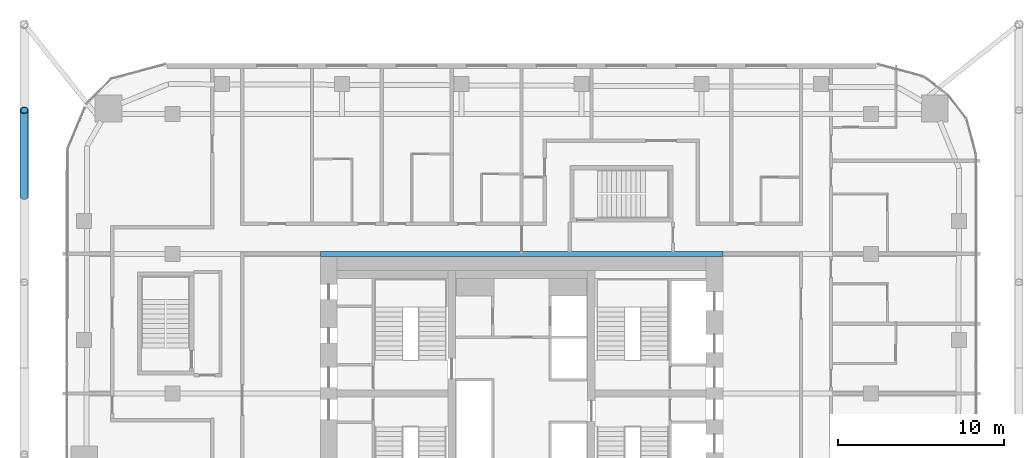
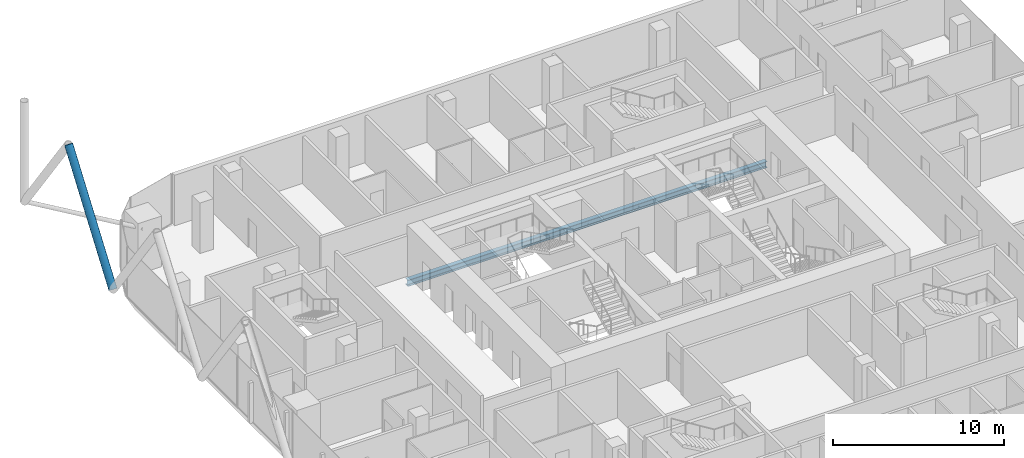
# One storey, part 10 of 33: 1 beam, 1 member.
"""IFC4 building model written with IfcOpenShell, lengths in metres."""

from ifc_helpers import new_model, si_unit, direction, frame, origin, origin_2d, place, context, subcontext, project, spatial, hollow_circle, i_section, extrude, material, material_profile, profile_set, type_object, element, save


model = new_model("IFC4")

# Units and contexts
model_context = context("Model", 3, precision=1e-05, world=origin(), true_north=direction((0.0, 1.0)))
body_context = subcontext(model_context, "Body", "Model", "MODEL_VIEW")
ifc_project = project(units=[si_unit("LENGTHUNIT", "METRE"), si_unit("AREAUNIT", "SQUARE_METRE"), si_unit("VOLUMEUNIT", "CUBIC_METRE"), si_unit("PLANEANGLEUNIT", "RADIAN"), si_unit("MASSUNIT", "GRAM", prefix="KILO")], contexts=[model_context])

# Site, building, storey
site_placement = place(None, origin())
site = spatial("IfcSite", under=ifc_project, at=site_placement, CompositionType="ELEMENT")
building_placement = place(site_placement, origin())
building = spatial("IfcBuilding", under=site, at=building_placement, Name="Marenta Gate Hotel Tower", CompositionType="ELEMENT")
storey_placement = place(building_placement, frame((0.0, 0.0, 108.5)))
storey = spatial("IfcBuildingStorey", under=building, at=storey_placement, Name="L23", CompositionType="ELEMENT", Elevation=108.5)

# Member
ifc_material_1 = material(Name="Steel S355J2W", Category="steel")
ifc_material_profile_1 = material_profile(ifc_material_1, hollow_circle(Radius=0.25390625, WallThickness=0.0400390625, at=origin_2d()), Name="CHS 508x40")
ifc_profile_set_1 = profile_set([ifc_material_profile_1], Name="Steel S355J2W")
member_type = type_object("IfcMemberType", Name="Diagrid diagonal Z2 CHS 508x40", PredefinedType="BRACE", material=ifc_profile_set_1)
member_placement = place(storey_placement, frame((-29.89990234375, 20.260009765625, 3.139892578125), z_axis=(0.0, 0.583247791947, 0.812294289767), x_axis=(-1.0, 0.0, 0.0)))
element("IfcMember", 1, at=member_placement, inside=storey, type_object=member_type, Name="L23-DG-33", PredefinedType="BRACE", context=body_context, shape_type="SweptSolid", body=[
    extrude(hollow_circle(Radius=0.25390625, WallThickness=0.0400390625, at=origin_2d()), origin(), (0.0, 0.0, 1.0), 8.864013671875),
])

# Beam
ifc_material_2 = material(Name="Steel S355", Category="steel")
ifc_material_profile_2 = material_profile(ifc_material_2, i_section(OverallWidth=0.300048828125, OverallDepth=0.449951171875, WebThickness=0.013916015625, FlangeThickness=0.02587890625, FilletRadius=0.027099609375, at=origin_2d()), Name="HEB 450")
ifc_profile_set_2 = profile_set([ifc_material_profile_2], Name="Steel S355")
beam_type = type_object("IfcBeamType", Name="Girder HEB 450", PredefinedType="BEAM", material=ifc_profile_set_2)
beam_placement = place(storey_placement, frame((-12.10009765625, 16.800048828125, -0.485107421875), z_axis=(1.0, 0.0, 0.0), x_axis=(0.0, 1.0, 0.0)))
element("IfcBeam", 2, at=beam_placement, inside=storey, type_object=beam_type, Name="L23-GD-26", PredefinedType="BEAM", context=body_context, shape_type="SweptSolid", body=[
    extrude(i_section(OverallWidth=0.300048828125, OverallDepth=0.449951171875, WebThickness=0.013916015625, FlangeThickness=0.02587890625, FilletRadius=0.027099609375, at=origin_2d()), origin(), (0.0, 0.0, 1.0), 24.2001953125),
])

save(model, "model.ifc")
